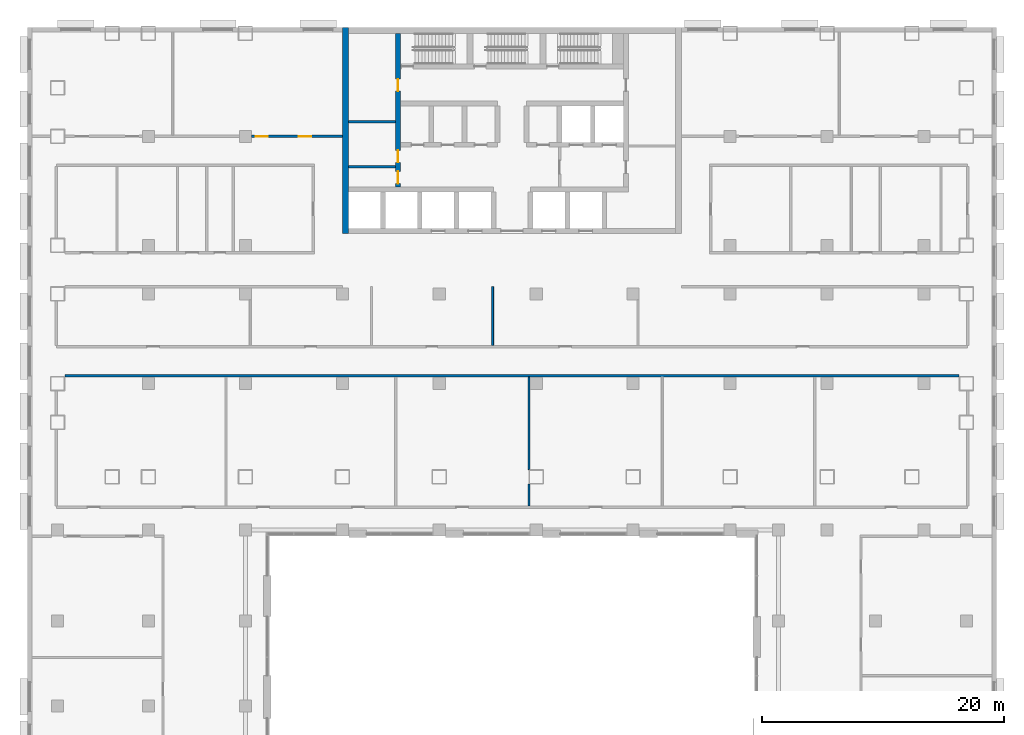
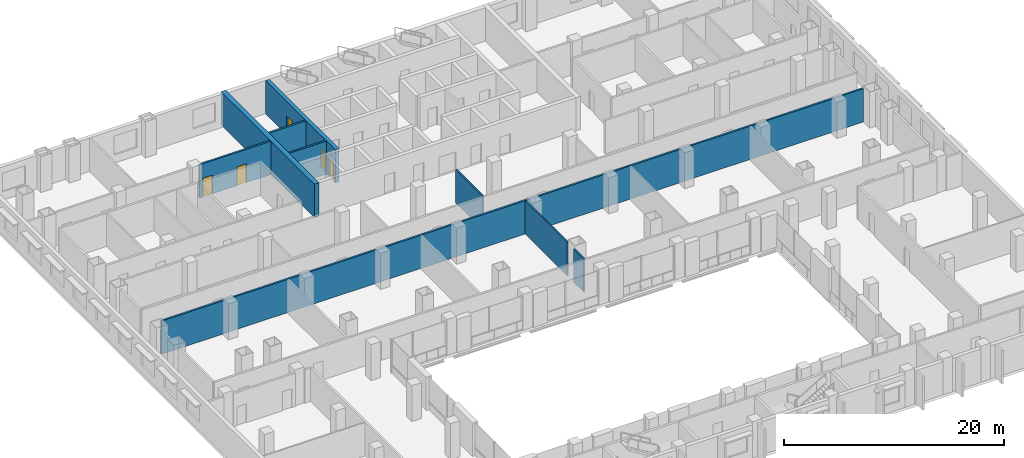
# One storey, part 11 of 25: 9 walls, 5 doors, 5 openings.
"""IFC4 building model written with IfcOpenShell, lengths in metres."""

from ifc_helpers import new_model, si_unit, direction, frame, frame_2d, origin, place, context, subcontext, project, spatial, rectangle, extrude, material, layer, layer_set, type_object, element, fill, save


model = new_model("IFC4")

# Units and contexts
model_context = context("Model", 3, precision=1e-05, world=origin(), true_north=direction((0.0, 1.0)))
body_context = subcontext(model_context, "Body", "Model", "MODEL_VIEW")
ifc_project = project(units=[si_unit("LENGTHUNIT", "METRE"), si_unit("AREAUNIT", "SQUARE_METRE"), si_unit("VOLUMEUNIT", "CUBIC_METRE"), si_unit("PLANEANGLEUNIT", "RADIAN"), si_unit("MASSUNIT", "GRAM", prefix="KILO")], contexts=[model_context])

# Site, building, storey
site_placement = place(None, origin())
site = spatial("IfcSite", under=ifc_project, at=site_placement, CompositionType="ELEMENT")
building_placement = place(site_placement, origin())
building = spatial("IfcBuilding", under=site, at=building_placement, Name="Vidyagriha Tower", CompositionType="ELEMENT")
storey_placement = place(building_placement, frame((0.0, 0.0, 18.0)))
storey = spatial("IfcBuildingStorey", under=building, at=storey_placement, Name="L04", CompositionType="ELEMENT", Elevation=18.0)

# Wall, openings, doors
ifc_material_1 = material(Name="Concrete C60/75", Category="concrete")
ifc_layer_1 = layer(ifc_material_1, 0.39990234375)
ifc_layer_set_1 = layer_set([ifc_layer_1], Name="Concrete C60/75")
wall_type_1 = type_object("IfcWallType", Name="Core shear wall 400 mm", PredefinedType="SHEAR", material=ifc_layer_set_1)
wall_1_placement = place(storey_placement, frame((-9.39990234375, 6.800048828125, 0.0), z_axis=(0.0, 0.0, 1.0), x_axis=(0.0, 1.0, 0.0)))
wall_1 = element("IfcWall", 1, at=wall_1_placement, inside=storey, type_object=wall_type_1, Name="Core west spine wall", PredefinedType="SHEAR", context=body_context, shape_type="SweptSolid", body=[
    extrude(rectangle(XDim=12.699951171875, YDim=0.39990234375, at=frame_2d((6.35009765625, 0.0))), origin(), (0.0, 0.0, 1.0), 3.699951171875),
])
opening_1_placement = place(wall_1_placement, frame((0.300048828125, 0.0, 0.0)))
opening_1 = element("IfcOpeningElement", 2, at=opening_1_placement, cuts=wall_1, Name="Opening D04-10", PredefinedType="OPENING", context=body_context, shape_type="SweptSolid", body=[
    extrude(rectangle(XDim=1.0, YDim=2.10009765625, at=frame_2d((0.5, 1.050048828125))), frame((0.0, 0.2099609375, 0.0), z_axis=(0.0, -1.0, 0.0), x_axis=(1.0, 0.0, 0.0)), (0.0, 0.0, 1.0), 0.419921875),
])
opening_2_placement = place(wall_1_placement, frame((2.050048828125, 0.0, 0.0)))
opening_2 = element("IfcOpeningElement", 3, at=opening_2_placement, cuts=wall_1, Name="Opening D04-11", PredefinedType="OPENING", context=body_context, shape_type="SweptSolid", body=[
    extrude(rectangle(XDim=1.0, YDim=2.10009765625, at=frame_2d((0.5, 1.050048828125))), frame((0.0, 0.2099609375, 0.0), z_axis=(0.0, -1.0, 0.0), x_axis=(1.0, 0.0, 0.0)), (0.0, 0.0, 1.0), 0.419921875),
])
opening_3_placement = place(wall_1_placement, frame((7.925048828125, 0.0, 0.0)))
opening_3 = element("IfcOpeningElement", 4, at=opening_3_placement, cuts=wall_1, Name="Opening D04-12", PredefinedType="OPENING", context=body_context, shape_type="SweptSolid", body=[
    extrude(rectangle(XDim=1.0, YDim=2.10009765625, at=frame_2d((0.5, 1.050048828125))), frame((0.0, 0.2099609375, 0.0), z_axis=(0.0, -1.0, 0.0), x_axis=(1.0, 0.0, 0.0)), (0.0, 0.0, 1.0), 0.419921875),
])
ifc_material_2 = material(Name="Hollow metal door leaf")
door_type_1 = type_object("IfcDoorType", Name="Core room door 1000 x 2100 mm EI 60", OperationType="NOTDEFINED", PredefinedType="DOOR", material=ifc_material_2)
door_1_placement = place(opening_1_placement, frame((1.0, 0.0, 0.0), z_axis=(0.0, 0.0, 1.0), x_axis=(-1.0, 0.0, 0.0)))
door_1 = element("IfcDoor", 5, at=door_1_placement, inside=storey, type_object=door_type_1, Name="Door Mechanical Riser Room 04.W1", OperationType="SINGLE_SWING_RIGHT", OverallHeight=2.10009765625, OverallWidth=1.0, PredefinedType="DOOR", context=body_context, shape_type="SweptSolid", body=[
    extrude(rectangle(XDim=1.0, YDim=2.10009765625, at=frame_2d((0.5, 1.050048828125))), frame((0.0, 0.02490234375, 0.0), z_axis=(0.0, -1.0, 0.0), x_axis=(1.0, 0.0, 0.0)), (0.0, 0.0, 1.0), 0.050048828125),
])
fill(opening_1, door_1)
door_2_placement = place(opening_2_placement, frame((1.0, 0.0, 0.0), z_axis=(0.0, 0.0, 1.0), x_axis=(-1.0, 0.0, 0.0)))
door_2 = element("IfcDoor", 6, at=door_2_placement, inside=storey, type_object=door_type_1, Name="Door Electrical Room 04.W2", OperationType="SINGLE_SWING_LEFT", OverallHeight=2.10009765625, OverallWidth=1.0, PredefinedType="DOOR", context=body_context, shape_type="SweptSolid", body=[
    extrude(rectangle(XDim=1.0, YDim=2.10009765625, at=frame_2d((0.5, 1.050048828125))), frame((0.0, 0.02490234375, 0.0), z_axis=(0.0, -1.0, 0.0), x_axis=(1.0, 0.0, 0.0)), (0.0, 0.0, 1.0), 0.050048828125),
])
fill(opening_2, door_2)
door_3_placement = place(opening_3_placement, frame((1.0, 0.0, 0.0), z_axis=(0.0, 0.0, 1.0), x_axis=(-1.0, 0.0, 0.0)))
door_3 = element("IfcDoor", 7, at=door_3_placement, inside=storey, type_object=door_type_1, Name="Door Refuse Room 04.W3", OperationType="SINGLE_SWING_LEFT", OverallHeight=2.10009765625, OverallWidth=1.0, PredefinedType="DOOR", context=body_context, shape_type="SweptSolid", body=[
    extrude(rectangle(XDim=1.0, YDim=2.10009765625, at=frame_2d((0.5, 1.050048828125))), frame((0.0, 0.02490234375, 0.0), z_axis=(0.0, -1.0, 0.0), x_axis=(1.0, 0.0, 0.0)), (0.0, 0.0, 1.0), 0.050048828125),
])
fill(opening_3, door_3)

# Walls
ifc_material_3 = material(Name="Concrete C60/75", Category="concrete")
ifc_layer_2 = layer(ifc_material_3, 0.5)
ifc_layer_set_2 = layer_set([ifc_layer_2], Name="Concrete C60/75")
wall_type_2 = type_object("IfcWallType", Name="Core shear wall 500 mm", PredefinedType="SHEAR", material=ifc_layer_set_2)
wall_2_placement = place(storey_placement, frame((-13.75, 3.0, 0.0), z_axis=(0.0, 0.0, 1.0), x_axis=(0.0, 1.0, 0.0)))
element("IfcWall", 8, at=wall_2_placement, inside=storey, type_object=wall_type_2, Name="Core west wall", PredefinedType="SHEAR", context=body_context, shape_type="SweptSolid", body=[
    extrude(rectangle(XDim=17.0, YDim=0.5, at=frame_2d((8.5, 0.0))), origin(), (0.0, 0.0, 1.0), 3.699951171875),
])
ifc_material_4 = material(Name="Fire rated gypsum board on light gauge framing")
ifc_layer_3 = layer(ifc_material_4, 0.199951171875)
ifc_layer_set_3 = layer_set([ifc_layer_3], Name="Fire rated gypsum board on light gauge framing")
wall_type_3 = type_object("IfcWallType", Name="Fire Rated Corridor Wall 200", PredefinedType="PARTITIONING", material=ifc_layer_set_3)
wall_3_placement = place(storey_placement, frame((-36.89990234375, -8.75, 0.0)))
element("IfcWall", 9, at=wall_3_placement, inside=storey, type_object=wall_type_3, Name="L04 Fire Rated Corridor Wall 200 022", PredefinedType="PARTITIONING", context=body_context, shape_type="SweptSolid", body=[
    extrude(rectangle(XDim=73.7998046875, YDim=0.199951171875, at=frame_2d((36.89990234375, 0.0))), origin(), (0.0, 0.0, 1.0), 3.699951171875),
])

# Wall, openings, doors
wall_4_placement = place(storey_placement, frame((-21.5, 11.0, 0.0)))
wall_4 = element("IfcWall", 10, at=wall_4_placement, inside=storey, type_object=wall_type_3, Name="L04 Fire Rated Corridor Wall 200 033", PredefinedType="PARTITIONING", context=body_context, shape_type="SweptSolid", body=[
    extrude(rectangle(XDim=7.5, YDim=0.199951171875, at=frame_2d((3.75, 0.0))), origin(), (0.0, 0.0, 1.0), 3.699951171875),
])
opening_4_placement = place(wall_4_placement, frame((0.35009765625, 0.0, 0.0)))
opening_4 = element("IfcOpeningElement", 11, at=opening_4_placement, cuts=wall_4, Name="Opening D04-53", PredefinedType="OPENING", context=body_context, shape_type="SweptSolid", body=[
    extrude(rectangle(XDim=1.0, YDim=2.10009765625, at=frame_2d((0.5, 1.050048828125))), frame((0.0, 0.10986328125, 0.0), z_axis=(0.0, -1.0, 0.0), x_axis=(1.0, 0.0, 0.0)), (0.0, 0.0, 1.0), 0.219970703125),
])
opening_5_placement = place(wall_4_placement, frame((3.919921875, 0.0, 0.0)))
opening_5 = element("IfcOpeningElement", 12, at=opening_5_placement, cuts=wall_4, Name="Opening D04-54", PredefinedType="OPENING", context=body_context, shape_type="SweptSolid", body=[
    extrude(rectangle(XDim=1.0, YDim=2.10009765625, at=frame_2d((0.5, 1.050048828125))), frame((0.0, 0.10986328125, 0.0), z_axis=(0.0, -1.0, 0.0), x_axis=(1.0, 0.0, 0.0)), (0.0, 0.0, 1.0), 0.219970703125),
])
ifc_material_5 = material(Name="Steel fire door set", Category="steel")
door_type_2 = type_object("IfcDoorType", Name="Podium Door 1000x2100 EI 30", OperationType="NOTDEFINED", PredefinedType="DOOR", material=ifc_material_5)
door_4_placement = place(opening_4_placement, origin())
door_4 = element("IfcDoor", 13, at=door_4_placement, inside=storey, type_object=door_type_2, Name="L04 door D04-53", OperationType="SINGLE_SWING_LEFT", OverallHeight=2.10009765625, OverallWidth=1.0, PredefinedType="DOOR", context=body_context, shape_type="SweptSolid", body=[
    extrude(rectangle(XDim=1.0, YDim=2.10009765625, at=frame_2d((0.5, 1.050048828125))), frame((0.0, 0.02490234375, 0.0), z_axis=(0.0, -1.0, 0.0), x_axis=(1.0, 0.0, 0.0)), (0.0, 0.0, 1.0), 0.050048828125),
])
fill(opening_4, door_4)
door_5_placement = place(opening_5_placement, origin())
door_5 = element("IfcDoor", 14, at=door_5_placement, inside=storey, type_object=door_type_2, Name="L04 door D04-54", OperationType="SINGLE_SWING_RIGHT", OverallHeight=2.10009765625, OverallWidth=1.0, PredefinedType="DOOR", context=body_context, shape_type="SweptSolid", body=[
    extrude(rectangle(XDim=1.0, YDim=2.10009765625, at=frame_2d((0.5, 1.050048828125))), frame((0.0, 0.02490234375, 0.0), z_axis=(0.0, -1.0, 0.0), x_axis=(1.0, 0.0, 0.0)), (0.0, 0.0, 1.0), 0.050048828125),
])
fill(opening_5, door_5)

# Walls
ifc_material_6 = material(Name="Gypsum board on light gauge framing")
ifc_layer_4 = layer(ifc_material_6, 0.14990234375)
ifc_layer_set_4 = layer_set([ifc_layer_4], Name="Gypsum board on light gauge framing")
wall_type_4 = type_object("IfcWallType", Name="Gypsum Board Partition 150", PredefinedType="PARTITIONING", material=ifc_layer_set_4)
wall_5_placement = place(storey_placement, frame((-1.60009765625, -6.25, 0.0), z_axis=(0.0, 0.0, 1.0), x_axis=(0.0, 1.0, 0.0)))
element("IfcWall", 15, at=wall_5_placement, inside=storey, type_object=wall_type_4, Name="L04 Gypsum Board Partition 150 058", PredefinedType="PARTITIONING", context=body_context, shape_type="SweptSolid", body=[
    extrude(rectangle(XDim=4.849853515625, YDim=0.14990234375, at=frame_2d((2.4248046875, 0.0))), origin(), (0.0, 0.0, 1.0), 3.699951171875),
])
wall_6_placement = place(storey_placement, frame((1.39990234375, -19.5, 0.0), z_axis=(0.0, 0.0, 1.0), x_axis=(0.0, 1.0, 0.0)))
element("IfcWall", 16, at=wall_6_placement, inside=storey, type_object=wall_type_4, Name="L04 Gypsum Board Partition 150 059", PredefinedType="PARTITIONING", context=body_context, shape_type="SweptSolid", body=[
    extrude(rectangle(XDim=1.800048828125, YDim=0.14990234375, at=frame_2d((0.89990234375, 0.0))), origin(), (0.0, 0.0, 1.0), 3.699951171875),
])
wall_7_placement = place(storey_placement, frame((1.39990234375, -16.5, 0.0), z_axis=(0.0, 0.0, 1.0), x_axis=(0.0, 1.0, 0.0)))
element("IfcWall", 17, at=wall_7_placement, inside=storey, type_object=wall_type_4, Name="L04 Gypsum Board Partition 150 060", PredefinedType="PARTITIONING", context=body_context, shape_type="SweptSolid", body=[
    extrude(rectangle(XDim=7.64990234375, YDim=0.14990234375, at=frame_2d((3.824951171875, 0.0))), origin(), (0.0, 0.0, 1.0), 3.699951171875),
])
ifc_material_7 = material(Name="Blockwork 15 MPa", Category="masonry")
ifc_layer_5 = layer(ifc_material_7, 0.199951171875)
ifc_layer_set_5 = layer_set([ifc_layer_5], Name="Blockwork 15 MPa")
wall_type_5 = type_object("IfcWallType", Name="Service room partition 200 mm", PredefinedType="PARTITIONING", material=ifc_layer_set_5)
for number, where, name in (
    (18, (-13.5, 8.5, 0.0), "Core room partition W1"),
    (19, (-13.5, 12.199951171875, 0.0), "Core room partition W2"),
):
    element("IfcWall", number, at=place(storey_placement, frame(where)), inside=storey, type_object=wall_type_5, Name=name, PredefinedType="PARTITIONING", context=body_context, shape_type="SweptSolid", body=[
        extrude(rectangle(XDim=3.89990234375, YDim=0.199951171875, at=frame_2d((1.949951171875, 0.0))), origin(), (0.0, 0.0, 1.0), 3.699951171875),
    ])

save(model, "model.ifc")
